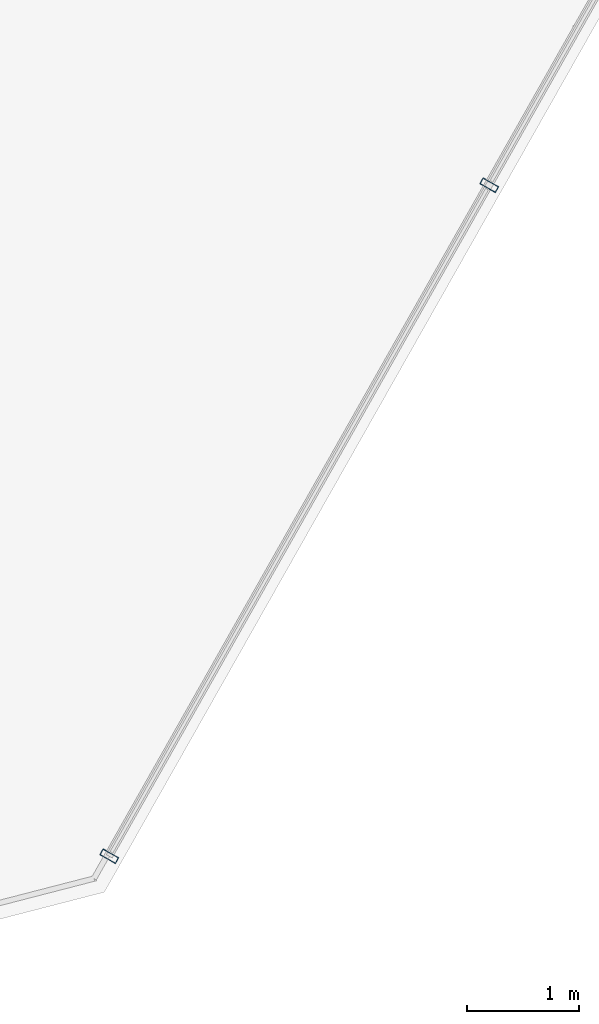
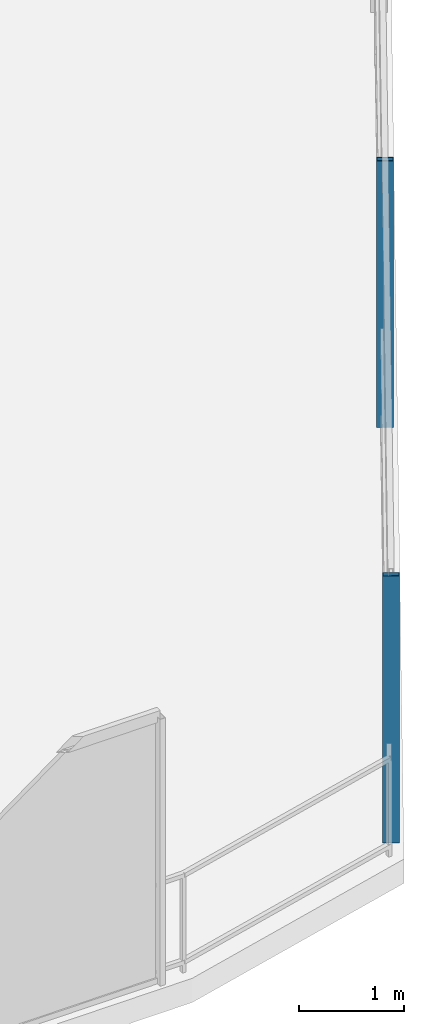
# One storey, part 11 of 31: 2 members, 1 element without a shape of its own.
"""IFC4 building model written with IfcOpenShell, lengths in metres."""

from ifc_helpers import new_model, si_unit, direction, frame, origin, origin_2d, place, context, subcontext, project, spatial, hollow_rectangle, extrude, material, layer, layer_set, material_profile, profile_set, type_object, element, aggregate, save


model = new_model("IFC4")

# Units and contexts
model_context = context("Model", 3, precision=1e-05, world=origin(), true_north=direction((0.0, 1.0)))
body_context = subcontext(model_context, "Body", "Model", "MODEL_VIEW")
ifc_project = project(units=[si_unit("LENGTHUNIT", "METRE"), si_unit("AREAUNIT", "SQUARE_METRE"), si_unit("VOLUMEUNIT", "CUBIC_METRE"), si_unit("PLANEANGLEUNIT", "RADIAN"), si_unit("MASSUNIT", "GRAM", prefix="KILO")], contexts=[model_context])

# Site, building, storey
site_placement = place(None, origin())
site = spatial("IfcSite", under=ifc_project, at=site_placement, CompositionType="ELEMENT")
building_placement = place(site_placement, origin())
building = spatial("IfcBuilding", under=site, at=building_placement, Name="Qarnah Convention Tower", CompositionType="ELEMENT")
storey_placement = place(building_placement, frame((0.0, 0.0, 68.39990234375)))
storey = spatial("IfcBuildingStorey", under=building, at=storey_placement, Name="L17", CompositionType="ELEMENT", Elevation=68.39990234375)

# Curtain wall, members
ifc_material_1 = material(Name="Tempered Low-E dark glass", Category="glass")
ifc_layer = layer(ifc_material_1, 0.16796875)
ifc_layer_set = layer_set([ifc_layer], Name="Tempered Low-E dark glass")
curtain_wall_type = type_object("IfcCurtainWallType", Name="CWS-01", PredefinedType="NOTDEFINED", material=ifc_layer_set)
curtain_wall_placement = place(storey_placement, origin())
curtain_wall = element("IfcCurtainWall", 1, at=curtain_wall_placement, inside=storey, type_object=curtain_wall_type, Name="L17 unitised curtain wall CW-L17-F1", PredefinedType="NOTDEFINED")
ifc_material_2 = material(Name="Black anodised aluminium", Category="aluminium")
ifc_material_profile = material_profile(ifc_material_2, hollow_rectangle(XDim=0.06005859375, YDim=0.159912109375, WallThickness=0.00390625, at=origin_2d()), Name="MUL-60X160")
ifc_profile_set = profile_set([ifc_material_profile], Name="Black anodised aluminium")
member_type = type_object("IfcMemberType", Name="MUL-T1", PredefinedType="MULLION", material=ifc_profile_set)
member_1_placement = place(storey_placement, frame((49.219482421875, 7.94140625, 0.0), z_axis=(0.0, 0.0, 1.0), x_axis=(-0.4927413748, -0.87017580842, 0.0)))
member_1 = element("IfcMember", 2, at=member_1_placement, type_object=member_type, Name="CW-L17-F1 mullion 5", PredefinedType="MULLION", context=body_context, shape_type="SweptSolid", body=[
    extrude(hollow_rectangle(XDim=0.06005859375, YDim=0.159912109375, WallThickness=0.00390625, at=origin_2d()), origin(), (0.0, 0.0, 1.0), 3.090087890625),
])
member_2_placement = place(storey_placement, frame((45.8359375, 1.966064453125, 0.0), z_axis=(0.0, 0.0, 1.0), x_axis=(-0.4927413748, -0.87017580842, 0.0)))
member_2 = element("IfcMember", 3, at=member_2_placement, type_object=member_type, Name="CW-L17-F1 mullion 6", PredefinedType="MULLION", context=body_context, shape_type="SweptSolid", body=[
    extrude(hollow_rectangle(XDim=0.06005859375, YDim=0.159912109375, WallThickness=0.00390625, at=origin_2d()), origin(), (0.0, 0.0, 1.0), 3.090087890625),
])
aggregate(curtain_wall, [member_1, member_2])

save(model, "model.ifc")
